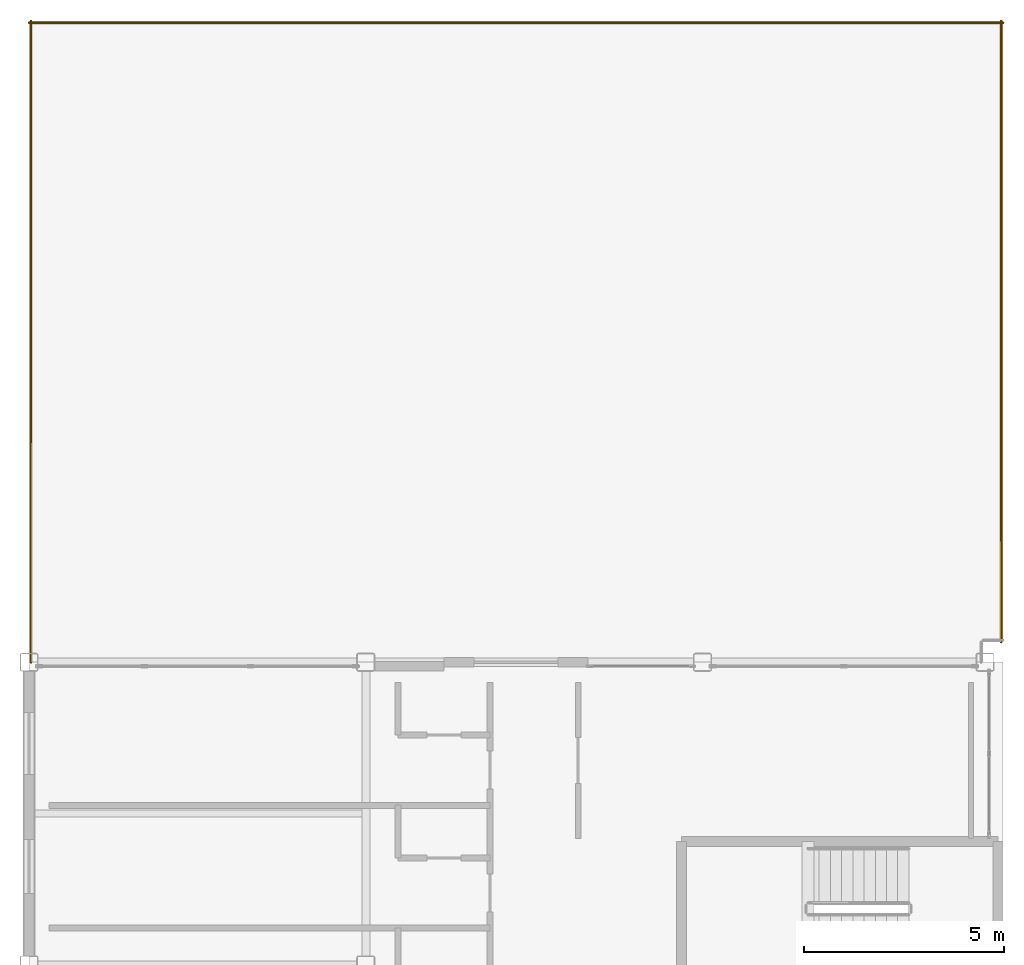
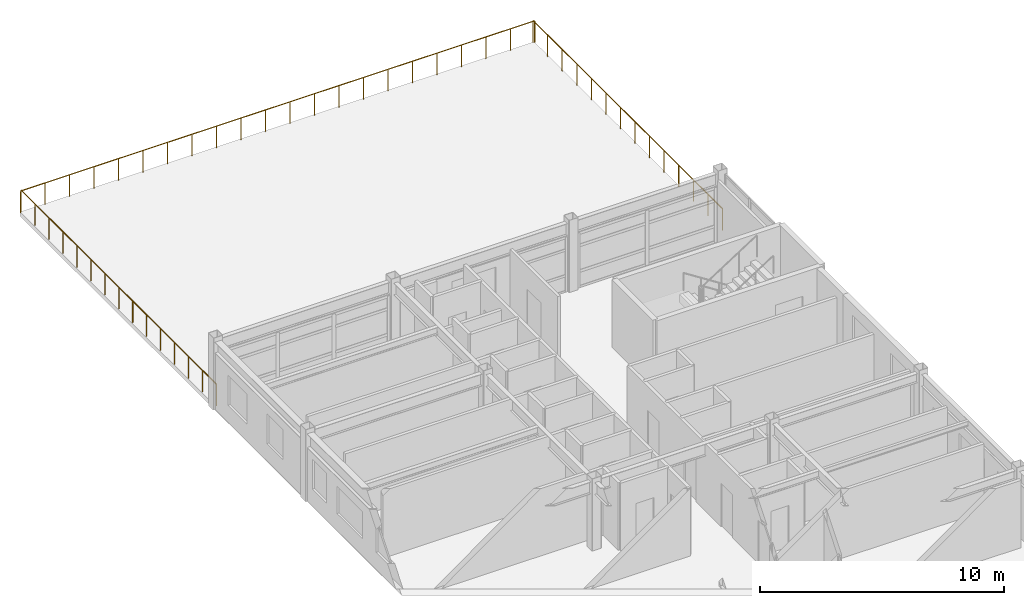
# One storey, part 28 of 28: 3 railings.
"""IFC4 building model written with IfcOpenShell, lengths in metres."""

from ifc_helpers import new_model, si_unit, direction, frame, origin, origin_2d, place, context, subcontext, project, spatial, circle, extrude, material, type_object, element, save


model = new_model("IFC4")

# Units and contexts
model_context = context("Model", 3, precision=1e-05, world=origin(), true_north=direction((0.0, 1.0)))
body_context = subcontext(model_context, "Body", "Model", "MODEL_VIEW")
ifc_project = project(units=[si_unit("LENGTHUNIT", "METRE"), si_unit("AREAUNIT", "SQUARE_METRE"), si_unit("VOLUMEUNIT", "CUBIC_METRE"), si_unit("PLANEANGLEUNIT", "RADIAN"), si_unit("MASSUNIT", "GRAM", prefix="KILO")], contexts=[model_context])

# Site, building, storey
site_placement = place(None, origin())
site = spatial("IfcSite", under=ifc_project, at=site_placement, CompositionType="ELEMENT")
building_placement = place(site_placement, origin())
building = spatial("IfcBuilding", under=site, at=building_placement, Name="Kazehara Bluff Congress Hotel", CompositionType="ELEMENT")
storey_placement = place(building_placement, frame((0.0, 0.0, 42.60009765625)))
storey = spatial("IfcBuildingStorey", under=building, at=storey_placement, Name="L10", CompositionType="ELEMENT", Elevation=42.60009765625)

# Railings
ifc_material = material(Name="Painted galvanised steel", Category="steel")
railing_type = type_object("IfcRailingType", Name="TP-GRD-EXT", PredefinedType="BALUSTRADE", material=ifc_material)
railing_1_placement = place(storey_placement, frame((167.949951171875, 81.39990234375, 0.0)))
element("IfcRailing", 1, at=railing_1_placement, inside=storey, type_object=railing_type, Name="Executive North Sky Terrace edge guard 3", PredefinedType="BALUSTRADE", context=body_context, shape_type="SweptSolid", body=[
    extrude(circle(Radius=0.02392578125, at=origin_2d()), frame((0.0, 0.0, 1.076171875), z_axis=(0.0, 1.0, 0.0), x_axis=(-1.0, 0.0, 0.0)), (0.0, 0.0, 1.0), 15.5),
    extrude(circle(Radius=0.02099609375, at=origin_2d()), origin(), (0.0, 0.0, 1.0), 1.052001953125),
    extrude(circle(Radius=0.02099609375, at=origin_2d()), frame((0.0, 1.1923828125, 0.0)), (0.0, 0.0, 1.0), 1.052001953125),
    extrude(circle(Radius=0.02099609375, at=origin_2d()), frame((0.0, 2.384521484375, 0.0)), (0.0, 0.0, 1.0), 1.052001953125),
    extrude(circle(Radius=0.02099609375, at=origin_2d()), frame((0.0, 3.576904296875, 0.0)), (0.0, 0.0, 1.0), 1.052001953125),
    extrude(circle(Radius=0.02099609375, at=origin_2d()), frame((0.0, 4.769287109375, 0.0)), (0.0, 0.0, 1.0), 1.052001953125),
    extrude(circle(Radius=0.02099609375, at=origin_2d()), frame((0.0, 5.96142578125, 0.0)), (0.0, 0.0, 1.0), 1.052001953125),
    extrude(circle(Radius=0.02099609375, at=origin_2d()), frame((0.0, 7.15380859375, 0.0)), (0.0, 0.0, 1.0), 1.052001953125),
    extrude(circle(Radius=0.02099609375, at=origin_2d()), frame((0.0, 8.34619140625, 0.0)), (0.0, 0.0, 1.0), 1.052001953125),
    extrude(circle(Radius=0.02099609375, at=origin_2d()), frame((0.0, 9.53857421875, 0.0)), (0.0, 0.0, 1.0), 1.052001953125),
    extrude(circle(Radius=0.02099609375, at=origin_2d()), frame((0.0, 10.730712890625, 0.0)), (0.0, 0.0, 1.0), 1.052001953125),
    extrude(circle(Radius=0.02099609375, at=origin_2d()), frame((0.0, 11.923095703125, 0.0)), (0.0, 0.0, 1.0), 1.052001953125),
    extrude(circle(Radius=0.02099609375, at=origin_2d()), frame((0.0, 13.115478515625, 0.0)), (0.0, 0.0, 1.0), 1.052001953125),
    extrude(circle(Radius=0.02099609375, at=origin_2d()), frame((0.0, 14.3076171875, 0.0)), (0.0, 0.0, 1.0), 1.052001953125),
    extrude(circle(Radius=0.02099609375, at=origin_2d()), frame((0.0, 15.5, 0.0)), (0.0, 0.0, 1.0), 1.052001953125),
])
railing_2_placement = place(storey_placement, frame((168.0, 96.85009765625, 0.0)))
element("IfcRailing", 2, at=railing_2_placement, inside=storey, type_object=railing_type, Name="Executive North Sky Terrace edge guard 4", PredefinedType="BALUSTRADE", context=body_context, shape_type="SweptSolid", body=[
    extrude(circle(Radius=0.02392578125, at=origin_2d()), frame((0.0, 0.0, 1.076171875), z_axis=(-1.0, 0.0, 0.0), x_axis=(0.0, -1.0, 0.0)), (0.0, 0.0, 1.0), 24.300048828125),
    extrude(circle(Radius=0.02099609375, at=origin_2d()), origin(), (0.0, 0.0, 1.0), 1.052001953125),
    extrude(circle(Radius=0.02099609375, at=origin_2d()), frame((-1.1572265625, 0.0, 0.0)), (0.0, 0.0, 1.0), 1.052001953125),
    extrude(circle(Radius=0.02099609375, at=origin_2d()), frame((-2.314208984375, 0.0, 0.0)), (0.0, 0.0, 1.0), 1.052001953125),
    extrude(circle(Radius=0.02099609375, at=origin_2d()), frame((-3.471435546875, 0.0, 0.0)), (0.0, 0.0, 1.0), 1.052001953125),
    extrude(circle(Radius=0.02099609375, at=origin_2d()), frame((-4.628662109375, 0.0, 0.0)), (0.0, 0.0, 1.0), 1.052001953125),
    extrude(circle(Radius=0.02099609375, at=origin_2d()), frame((-5.78564453125, 0.0, 0.0)), (0.0, 0.0, 1.0), 1.052001953125),
    extrude(circle(Radius=0.02099609375, at=origin_2d()), frame((-6.94287109375, 0.0, 0.0)), (0.0, 0.0, 1.0), 1.052001953125),
    extrude(circle(Radius=0.02099609375, at=origin_2d()), frame((-8.10009765625, 0.0, 0.0)), (0.0, 0.0, 1.0), 1.052001953125),
    extrude(circle(Radius=0.02099609375, at=origin_2d()), frame((-9.257080078125, 0.0, 0.0)), (0.0, 0.0, 1.0), 1.052001953125),
    extrude(circle(Radius=0.02099609375, at=origin_2d()), frame((-10.414306640625, 0.0, 0.0)), (0.0, 0.0, 1.0), 1.052001953125),
    extrude(circle(Radius=0.02099609375, at=origin_2d()), frame((-11.571533203125, 0.0, 0.0)), (0.0, 0.0, 1.0), 1.052001953125),
    extrude(circle(Radius=0.02099609375, at=origin_2d()), frame((-12.728515625, 0.0, 0.0)), (0.0, 0.0, 1.0), 1.052001953125),
    extrude(circle(Radius=0.02099609375, at=origin_2d()), frame((-13.8857421875, 0.0, 0.0)), (0.0, 0.0, 1.0), 1.052001953125),
    extrude(circle(Radius=0.02099609375, at=origin_2d()), frame((-15.04296875, 0.0, 0.0)), (0.0, 0.0, 1.0), 1.052001953125),
    extrude(circle(Radius=0.02099609375, at=origin_2d()), frame((-16.199951171875, 0.0, 0.0)), (0.0, 0.0, 1.0), 1.052001953125),
    extrude(circle(Radius=0.02099609375, at=origin_2d()), frame((-17.357177734375, 0.0, 0.0)), (0.0, 0.0, 1.0), 1.052001953125),
    extrude(circle(Radius=0.02099609375, at=origin_2d()), frame((-18.514404296875, 0.0, 0.0)), (0.0, 0.0, 1.0), 1.052001953125),
    extrude(circle(Radius=0.02099609375, at=origin_2d()), frame((-19.67138671875, 0.0, 0.0)), (0.0, 0.0, 1.0), 1.052001953125),
    extrude(circle(Radius=0.02099609375, at=origin_2d()), frame((-20.82861328125, 0.0, 0.0)), (0.0, 0.0, 1.0), 1.052001953125),
    extrude(circle(Radius=0.02099609375, at=origin_2d()), frame((-21.98583984375, 0.0, 0.0)), (0.0, 0.0, 1.0), 1.052001953125),
    extrude(circle(Radius=0.02099609375, at=origin_2d()), frame((-23.142822265625, 0.0, 0.0)), (0.0, 0.0, 1.0), 1.052001953125),
    extrude(circle(Radius=0.02099609375, at=origin_2d()), frame((-24.300048828125, 0.0, 0.0)), (0.0, 0.0, 1.0), 1.052001953125),
])
railing_3_placement = place(storey_placement, frame((143.75, 96.89990234375, 0.0)))
element("IfcRailing", 3, at=railing_3_placement, inside=storey, type_object=railing_type, Name="Executive North Sky Terrace edge guard 5", PredefinedType="BALUSTRADE", context=body_context, shape_type="SweptSolid", body=[
    extrude(circle(Radius=0.02392578125, at=origin_2d()), frame((0.0, 0.0, 1.076171875), z_axis=(0.0, -1.0, 0.0), x_axis=(1.0, 0.0, 0.0)), (0.0, 0.0, 1.0), 16.0),
    extrude(circle(Radius=0.02099609375, at=origin_2d()), origin(), (0.0, 0.0, 1.0), 1.052001953125),
    extrude(circle(Radius=0.02099609375, at=origin_2d()), frame((0.0, -1.142822265625, 0.0)), (0.0, 0.0, 1.0), 1.052001953125),
    extrude(circle(Radius=0.02099609375, at=origin_2d()), frame((0.0, -2.28564453125, 0.0)), (0.0, 0.0, 1.0), 1.052001953125),
    extrude(circle(Radius=0.02099609375, at=origin_2d()), frame((0.0, -3.428466796875, 0.0)), (0.0, 0.0, 1.0), 1.052001953125),
    extrude(circle(Radius=0.02099609375, at=origin_2d()), frame((0.0, -4.571533203125, 0.0)), (0.0, 0.0, 1.0), 1.052001953125),
    extrude(circle(Radius=0.02099609375, at=origin_2d()), frame((0.0, -5.71435546875, 0.0)), (0.0, 0.0, 1.0), 1.052001953125),
    extrude(circle(Radius=0.02099609375, at=origin_2d()), frame((0.0, -6.857177734375, 0.0)), (0.0, 0.0, 1.0), 1.052001953125),
    extrude(circle(Radius=0.02099609375, at=origin_2d()), frame((0.0, -8.0, 0.0)), (0.0, 0.0, 1.0), 1.052001953125),
    extrude(circle(Radius=0.02099609375, at=origin_2d()), frame((0.0, -9.142822265625, 0.0)), (0.0, 0.0, 1.0), 1.052001953125),
    extrude(circle(Radius=0.02099609375, at=origin_2d()), frame((0.0, -10.28564453125, 0.0)), (0.0, 0.0, 1.0), 1.052001953125),
    extrude(circle(Radius=0.02099609375, at=origin_2d()), frame((0.0, -11.428466796875, 0.0)), (0.0, 0.0, 1.0), 1.052001953125),
    extrude(circle(Radius=0.02099609375, at=origin_2d()), frame((0.0, -12.571533203125, 0.0)), (0.0, 0.0, 1.0), 1.052001953125),
    extrude(circle(Radius=0.02099609375, at=origin_2d()), frame((0.0, -13.71435546875, 0.0)), (0.0, 0.0, 1.0), 1.052001953125),
    extrude(circle(Radius=0.02099609375, at=origin_2d()), frame((0.0, -14.857177734375, 0.0)), (0.0, 0.0, 1.0), 1.052001953125),
    extrude(circle(Radius=0.02099609375, at=origin_2d()), frame((0.0, -16.0, 0.0)), (0.0, 0.0, 1.0), 1.052001953125),
])

save(model, "model.ifc")
